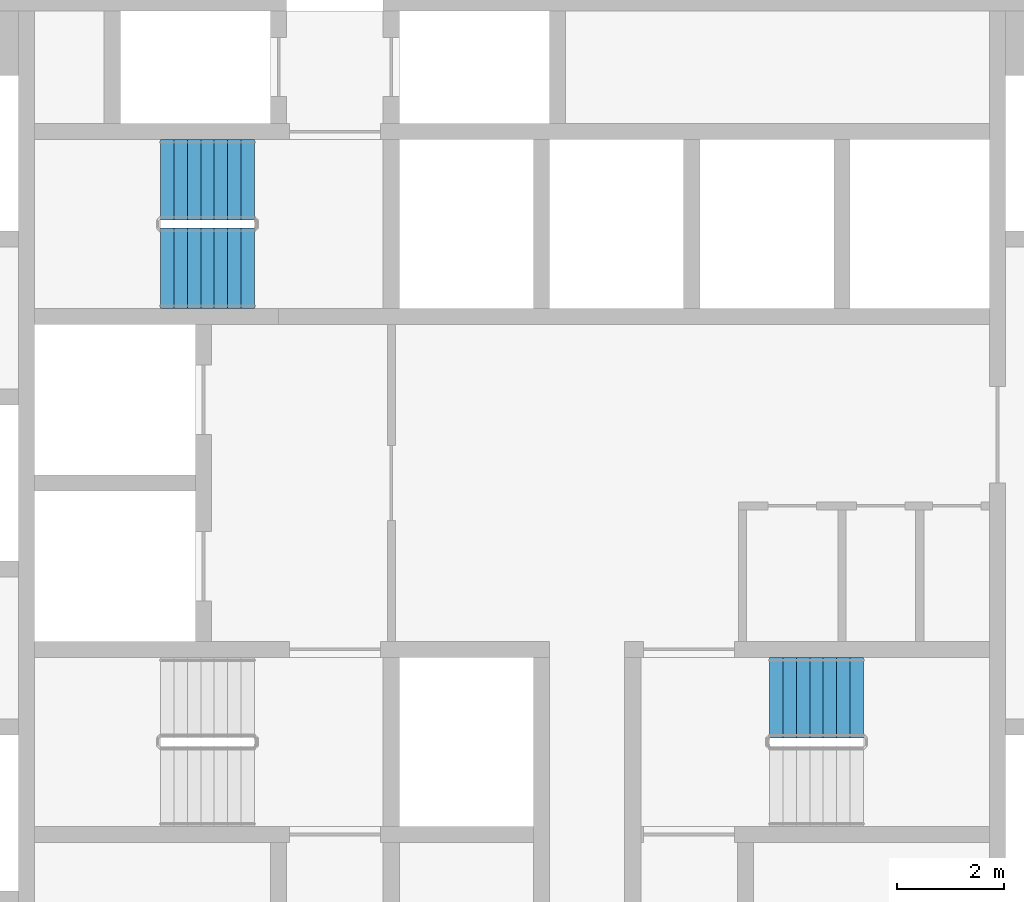
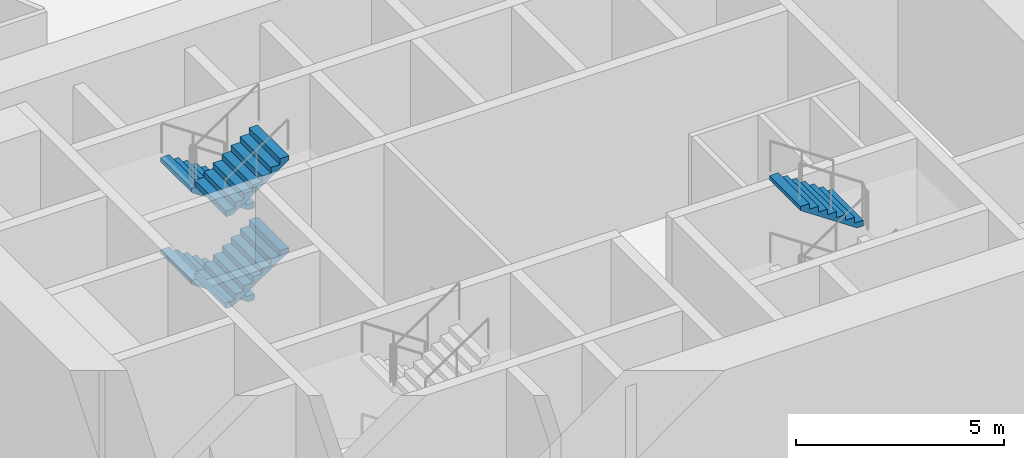
# One storey, part 26 of 27: 5 stair flights, 2 elements without a shape of their own.
"""IFC4 building model written with IfcOpenShell, lengths in metres."""

from ifc_helpers import new_model, si_unit, direction, frame, origin, place, context, subcontext, project, spatial, polyline, outline, extrude, material, type_object, element, aggregate, save


model = new_model("IFC4")

# Units and contexts
model_context = context("Model", 3, precision=1e-05, world=origin(), true_north=direction((0.0, 1.0)))
body_context = subcontext(model_context, "Body", "Model", "MODEL_VIEW")
ifc_project = project(units=[si_unit("LENGTHUNIT", "METRE"), si_unit("AREAUNIT", "SQUARE_METRE"), si_unit("VOLUMEUNIT", "CUBIC_METRE"), si_unit("PLANEANGLEUNIT", "RADIAN"), si_unit("MASSUNIT", "GRAM", prefix="KILO")], contexts=[model_context])

# Site, building, storey
site_placement = place(None, origin())
site = spatial("IfcSite", under=ifc_project, at=site_placement, CompositionType="ELEMENT")
building_placement = place(site_placement, origin())
building = spatial("IfcBuilding", under=site, at=building_placement, Name="Tracery Tower", CompositionType="ELEMENT")
storey_placement = place(building_placement, frame((0.0, 0.0, 114.60009765625)))
storey = spatial("IfcBuildingStorey", under=building, at=storey_placement, Name="L29", CompositionType="ELEMENT", Elevation=114.60009765625)

# Stair, stair flights
ifc_material_1 = material(Name="Concrete C32/40", Category="concrete")
stair_type = type_object("IfcStairType", Name="Core stair 32 risers", PredefinedType="HALF_TURN_STAIR", material=ifc_material_1)
stair_1_placement = place(storey_placement, origin())
stair_1 = element("IfcStair", 1, at=stair_1_placement, inside=storey, type_object=stair_type, Name="L29 stair ST3", PredefinedType="HALF_TURN_STAIR")
ifc_material_2 = material(Name="Concrete C32/40", Category="concrete")
stair_flight_type = type_object("IfcStairFlightType", Name="Core stair flight 8 risers", PredefinedType="STRAIGHT", material=ifc_material_2)
stair_flight_1_placement = place(storey_placement, frame((-4.800048828125, 5.64990234375, 0.0), z_axis=(0.0, 0.0, 1.0), x_axis=(-1.0, 0.0, 0.0)))
stair_flight_1 = element("IfcStairFlight", 2, at=stair_flight_1_placement, type_object=stair_flight_type, Name="ST3 flight 1", NumberOfRisers=8, NumberOfTreads=7, PredefinedType="STRAIGHT", RiserHeight=0.16875, TreadLength=0.25, context=body_context, shape_type="SweptSolid", body=[
    extrude(outline(polyline([(0.0, 0.0), (0.0, 0.002685546875), (0.0, 0.005615234375), (0.0, 0.00830078125), (0.0, 0.010986328125), (0.0, 0.013916015625), (0.0, 0.0166015625), (0.0, 0.019287109375), (0.0, 0.022216796875), (0.0, 0.02490234375), (0.0, 0.027587890625), (0.0, 0.030517578125), (0.0, 0.033203125), (0.0, 0.035888671875), (0.0, 0.038818359375), (0.0, 0.04150390625), (0.0, 0.044189453125), (0.0, 0.047119140625), (0.0, 0.0498046875), (0.0, 0.052490234375), (0.0, 0.055419921875), (0.0, 0.05810546875), (0.0, 0.060791015625), (0.0, 0.063720703125), (0.0, 0.06640625), (0.0, 0.069091796875), (0.0, 0.072021484375), (0.0, 0.07470703125), (0.0, 0.077392578125), (0.0, 0.080322265625), (0.0, 0.0830078125), (0.0, 0.085693359375), (0.0, 0.088623046875), (0.0, 0.09130859375), (0.0, 0.093994140625), (0.0, 0.096923828125), (0.0, 0.099609375), (0.0, 0.102294921875), (0.0, 0.105224609375), (0.0, 0.10791015625), (0.0, 0.110595703125), (0.0, 0.113525390625), (0.0, 0.1162109375), (0.0, 0.118896484375), (0.0, 0.121826171875), (0.0, 0.12451171875), (0.0, 0.127197265625), (0.0, 0.130126953125), (0.0, 0.1328125), (0.0, 0.135498046875), (0.0, 0.138427734375), (0.0, 0.14111328125), (0.0, 0.143798828125), (0.0, 0.146728515625), (0.0, 0.1494140625), (0.0, 0.152099609375), (0.0, 0.155029296875), (0.0, 0.15771484375), (0.0, 0.160400390625), (0.0, 0.163330078125), (0.0, 0.166015625), (0.0, 0.168701171875), (0.25, 0.168701171875), (0.25, 0.33740234375), (0.5, 0.33740234375), (0.5, 0.50634765625), (0.75, 0.50634765625), (0.75, 0.675048828125), (1.0, 0.675048828125), (1.0, 0.84375), (1.25, 0.84375), (1.25, 1.012451171875), (1.5, 1.012451171875), (1.5, 1.18115234375), (1.75, 1.18115234375), (1.75, 1.17919921875), (1.75, 1.17724609375), (1.75, 1.17529296875), (1.75, 1.17333984375), (1.75, 1.17138671875), (1.75, 1.16943359375), (1.75, 1.16748046875), (1.75, 1.16552734375), (1.75, 1.163330078125), (1.75, 1.161376953125), (1.75, 1.159423828125), (1.75, 1.157470703125), (1.75, 1.155517578125), (1.75, 1.153564453125), (1.75, 1.151611328125), (1.75, 1.149658203125), (1.75, 1.147705078125), (1.75, 1.1455078125), (1.75, 1.1435546875), (1.75, 1.1416015625), (1.75, 1.1396484375), (1.75, 1.1376953125), (1.75, 1.1357421875), (1.75, 1.1337890625), (1.75, 1.1318359375), (1.75, 1.1298828125), (1.75, 1.127685546875), (1.75, 1.125732421875), (1.75, 1.123779296875), (1.75, 1.121826171875), (1.75, 1.119873046875), (1.75, 1.117919921875), (1.75, 1.115966796875), (1.75, 1.114013671875), (1.75, 1.112060546875), (1.75, 1.10986328125), (1.75, 1.10791015625), (1.75, 1.10595703125), (1.75, 1.10400390625), (1.75, 1.10205078125), (1.75, 1.10009765625), (1.75, 1.09814453125), (1.75, 1.09619140625), (1.75, 1.09423828125), (1.75, 1.092041015625), (1.75, 1.090087890625), (1.75, 1.088134765625), (1.75, 1.086181640625), (1.75, 1.084228515625), (1.75, 1.082275390625), (1.75, 1.080322265625), (1.75, 1.078369140625), (1.75, 1.076416015625), (1.75, 1.074462890625), (1.75, 1.072265625), (1.75, 1.0703125), (1.75, 1.068359375), (1.75, 1.06640625), (1.75, 1.064453125), (1.75, 1.0625), (1.75, 1.060546875), (0.178955078125, 0.0), (0.0, 0.0)])), frame((0.0, 0.75, 0.0), z_axis=(0.0, -1.0, 0.0), x_axis=(1.0, 0.0, 0.0)), (0.0, 0.0, 1.0), 1.5),
])
stair_flight_2_placement = place(storey_placement, frame((-6.550048828125, 4.0, 1.349853515625), z_axis=(0.0, 0.0, 1.0), x_axis=(1.0, 0.0, 0.0)))
stair_flight_2 = element("IfcStairFlight", 3, at=stair_flight_2_placement, type_object=stair_flight_type, Name="ST3 flight 2", NumberOfRisers=8, NumberOfTreads=7, PredefinedType="STRAIGHT", RiserHeight=0.16875, TreadLength=0.25, context=body_context, shape_type="SweptSolid", body=[
    extrude(outline(polyline([(0.0, 0.0), (0.0, 0.002685546875), (0.0, 0.005615234375), (0.0, 0.00830078125), (0.0, 0.010986328125), (0.0, 0.013916015625), (0.0, 0.0166015625), (0.0, 0.019287109375), (0.0, 0.022216796875), (0.0, 0.02490234375), (0.0, 0.027587890625), (0.0, 0.030517578125), (0.0, 0.033203125), (0.0, 0.035888671875), (0.0, 0.038818359375), (0.0, 0.04150390625), (0.0, 0.044189453125), (0.0, 0.047119140625), (0.0, 0.0498046875), (0.0, 0.052490234375), (0.0, 0.055419921875), (0.0, 0.05810546875), (0.0, 0.060791015625), (0.0, 0.063720703125), (0.0, 0.06640625), (0.0, 0.069091796875), (0.0, 0.072021484375), (0.0, 0.07470703125), (0.0, 0.077392578125), (0.0, 0.080322265625), (0.0, 0.0830078125), (0.0, 0.085693359375), (0.0, 0.088623046875), (0.0, 0.09130859375), (0.0, 0.093994140625), (0.0, 0.096923828125), (0.0, 0.099609375), (0.0, 0.102294921875), (0.0, 0.105224609375), (0.0, 0.10791015625), (0.0, 0.110595703125), (0.0, 0.113525390625), (0.0, 0.1162109375), (0.0, 0.118896484375), (0.0, 0.121826171875), (0.0, 0.12451171875), (0.0, 0.127197265625), (0.0, 0.130126953125), (0.0, 0.1328125), (0.0, 0.135498046875), (0.0, 0.138427734375), (0.0, 0.14111328125), (0.0, 0.143798828125), (0.0, 0.146728515625), (0.0, 0.1494140625), (0.0, 0.152099609375), (0.0, 0.155029296875), (0.0, 0.15771484375), (0.0, 0.160400390625), (0.0, 0.163330078125), (0.0, 0.166015625), (0.0, 0.168701171875), (0.25, 0.168701171875), (0.25, 0.33740234375), (0.5, 0.33740234375), (0.5, 0.50634765625), (0.75, 0.50634765625), (0.75, 0.675048828125), (1.0, 0.675048828125), (1.0, 0.84375), (1.25, 0.84375), (1.25, 1.012451171875), (1.5, 1.012451171875), (1.5, 1.18115234375), (1.75, 1.18115234375), (1.75, 1.17919921875), (1.75, 1.17724609375), (1.75, 1.17529296875), (1.75, 1.17333984375), (1.75, 1.17138671875), (1.75, 1.16943359375), (1.75, 1.16748046875), (1.75, 1.16552734375), (1.75, 1.163330078125), (1.75, 1.161376953125), (1.75, 1.159423828125), (1.75, 1.157470703125), (1.75, 1.155517578125), (1.75, 1.153564453125), (1.75, 1.151611328125), (1.75, 1.149658203125), (1.75, 1.147705078125), (1.75, 1.1455078125), (1.75, 1.1435546875), (1.75, 1.1416015625), (1.75, 1.1396484375), (1.75, 1.1376953125), (1.75, 1.1357421875), (1.75, 1.1337890625), (1.75, 1.1318359375), (1.75, 1.1298828125), (1.75, 1.127685546875), (1.75, 1.125732421875), (1.75, 1.123779296875), (1.75, 1.121826171875), (1.75, 1.119873046875), (1.75, 1.117919921875), (1.75, 1.115966796875), (1.75, 1.114013671875), (1.75, 1.112060546875), (1.75, 1.10986328125), (1.75, 1.10791015625), (1.75, 1.10595703125), (1.75, 1.10400390625), (1.75, 1.10205078125), (1.75, 1.10009765625), (1.75, 1.09814453125), (1.75, 1.09619140625), (1.75, 1.09423828125), (1.75, 1.092041015625), (1.75, 1.090087890625), (1.75, 1.088134765625), (1.75, 1.086181640625), (1.75, 1.084228515625), (1.75, 1.082275390625), (1.75, 1.080322265625), (1.75, 1.078369140625), (1.75, 1.076416015625), (1.75, 1.074462890625), (1.75, 1.072265625), (1.75, 1.0703125), (1.75, 1.068359375), (1.75, 1.06640625), (1.75, 1.064453125), (1.75, 1.0625), (1.75, 1.060546875), (0.178955078125, 0.0), (0.0, 0.0)])), frame((0.0, 0.75, 0.0), z_axis=(0.0, -1.0, 0.0), x_axis=(1.0, 0.0, 0.0)), (0.0, 0.0, 1.0), 1.5),
])
stair_flight_3_placement = place(storey_placement, frame((-4.800048828125, 5.64990234375, 2.699951171875), z_axis=(0.0, 0.0, 1.0), x_axis=(-1.0, 0.0, 0.0)))
stair_flight_3 = element("IfcStairFlight", 4, at=stair_flight_3_placement, type_object=stair_flight_type, Name="ST3 flight 3", NumberOfRisers=8, NumberOfTreads=7, PredefinedType="STRAIGHT", RiserHeight=0.16875, TreadLength=0.25, context=body_context, shape_type="SweptSolid", body=[
    extrude(outline(polyline([(0.0, 0.0), (0.0, 0.002685546875), (0.0, 0.005615234375), (0.0, 0.00830078125), (0.0, 0.010986328125), (0.0, 0.013916015625), (0.0, 0.0166015625), (0.0, 0.019287109375), (0.0, 0.022216796875), (0.0, 0.02490234375), (0.0, 0.027587890625), (0.0, 0.030517578125), (0.0, 0.033203125), (0.0, 0.035888671875), (0.0, 0.038818359375), (0.0, 0.04150390625), (0.0, 0.044189453125), (0.0, 0.047119140625), (0.0, 0.0498046875), (0.0, 0.052490234375), (0.0, 0.055419921875), (0.0, 0.05810546875), (0.0, 0.060791015625), (0.0, 0.063720703125), (0.0, 0.06640625), (0.0, 0.069091796875), (0.0, 0.072021484375), (0.0, 0.07470703125), (0.0, 0.077392578125), (0.0, 0.080322265625), (0.0, 0.0830078125), (0.0, 0.085693359375), (0.0, 0.088623046875), (0.0, 0.09130859375), (0.0, 0.093994140625), (0.0, 0.096923828125), (0.0, 0.099609375), (0.0, 0.102294921875), (0.0, 0.105224609375), (0.0, 0.10791015625), (0.0, 0.110595703125), (0.0, 0.113525390625), (0.0, 0.1162109375), (0.0, 0.118896484375), (0.0, 0.121826171875), (0.0, 0.12451171875), (0.0, 0.127197265625), (0.0, 0.130126953125), (0.0, 0.1328125), (0.0, 0.135498046875), (0.0, 0.138427734375), (0.0, 0.14111328125), (0.0, 0.143798828125), (0.0, 0.146728515625), (0.0, 0.1494140625), (0.0, 0.152099609375), (0.0, 0.155029296875), (0.0, 0.15771484375), (0.0, 0.160400390625), (0.0, 0.163330078125), (0.0, 0.166015625), (0.0, 0.168701171875), (0.25, 0.168701171875), (0.25, 0.33740234375), (0.5, 0.33740234375), (0.5, 0.50634765625), (0.75, 0.50634765625), (0.75, 0.675048828125), (1.0, 0.675048828125), (1.0, 0.84375), (1.25, 0.84375), (1.25, 1.012451171875), (1.5, 1.012451171875), (1.5, 1.18115234375), (1.75, 1.18115234375), (1.75, 1.17919921875), (1.75, 1.17724609375), (1.75, 1.17529296875), (1.75, 1.17333984375), (1.75, 1.17138671875), (1.75, 1.16943359375), (1.75, 1.16748046875), (1.75, 1.16552734375), (1.75, 1.163330078125), (1.75, 1.161376953125), (1.75, 1.159423828125), (1.75, 1.157470703125), (1.75, 1.155517578125), (1.75, 1.153564453125), (1.75, 1.151611328125), (1.75, 1.149658203125), (1.75, 1.147705078125), (1.75, 1.1455078125), (1.75, 1.1435546875), (1.75, 1.1416015625), (1.75, 1.1396484375), (1.75, 1.1376953125), (1.75, 1.1357421875), (1.75, 1.1337890625), (1.75, 1.1318359375), (1.75, 1.1298828125), (1.75, 1.127685546875), (1.75, 1.125732421875), (1.75, 1.123779296875), (1.75, 1.121826171875), (1.75, 1.119873046875), (1.75, 1.117919921875), (1.75, 1.115966796875), (1.75, 1.114013671875), (1.75, 1.112060546875), (1.75, 1.10986328125), (1.75, 1.10791015625), (1.75, 1.10595703125), (1.75, 1.10400390625), (1.75, 1.10205078125), (1.75, 1.10009765625), (1.75, 1.09814453125), (1.75, 1.09619140625), (1.75, 1.09423828125), (1.75, 1.092041015625), (1.75, 1.090087890625), (1.75, 1.088134765625), (1.75, 1.086181640625), (1.75, 1.084228515625), (1.75, 1.082275390625), (1.75, 1.080322265625), (1.75, 1.078369140625), (1.75, 1.076416015625), (1.75, 1.074462890625), (1.75, 1.072265625), (1.75, 1.0703125), (1.75, 1.068359375), (1.75, 1.06640625), (1.75, 1.064453125), (1.75, 1.0625), (1.75, 1.060546875), (0.178955078125, 0.0), (0.0, 0.0)])), frame((0.0, 0.75, 0.0), z_axis=(0.0, -1.0, 0.0), x_axis=(1.0, 0.0, 0.0)), (0.0, 0.0, 1.0), 1.5),
])
stair_flight_4_placement = place(storey_placement, frame((-6.550048828125, 4.0, 4.0498046875), z_axis=(0.0, 0.0, 1.0), x_axis=(1.0, 0.0, 0.0)))
stair_flight_4 = element("IfcStairFlight", 5, at=stair_flight_4_placement, type_object=stair_flight_type, Name="ST3 flight 4", NumberOfRisers=8, NumberOfTreads=7, PredefinedType="STRAIGHT", RiserHeight=0.16875, TreadLength=0.25, context=body_context, shape_type="SweptSolid", body=[
    extrude(outline(polyline([(0.0, 0.0), (0.0, 0.002685546875), (0.0, 0.005615234375), (0.0, 0.00830078125), (0.0, 0.010986328125), (0.0, 0.013916015625), (0.0, 0.0166015625), (0.0, 0.019287109375), (0.0, 0.022216796875), (0.0, 0.02490234375), (0.0, 0.027587890625), (0.0, 0.030517578125), (0.0, 0.033203125), (0.0, 0.035888671875), (0.0, 0.038818359375), (0.0, 0.04150390625), (0.0, 0.044189453125), (0.0, 0.047119140625), (0.0, 0.0498046875), (0.0, 0.052490234375), (0.0, 0.055419921875), (0.0, 0.05810546875), (0.0, 0.060791015625), (0.0, 0.063720703125), (0.0, 0.06640625), (0.0, 0.069091796875), (0.0, 0.072021484375), (0.0, 0.07470703125), (0.0, 0.077392578125), (0.0, 0.080322265625), (0.0, 0.0830078125), (0.0, 0.085693359375), (0.0, 0.088623046875), (0.0, 0.09130859375), (0.0, 0.093994140625), (0.0, 0.096923828125), (0.0, 0.099609375), (0.0, 0.102294921875), (0.0, 0.105224609375), (0.0, 0.10791015625), (0.0, 0.110595703125), (0.0, 0.113525390625), (0.0, 0.1162109375), (0.0, 0.118896484375), (0.0, 0.121826171875), (0.0, 0.12451171875), (0.0, 0.127197265625), (0.0, 0.130126953125), (0.0, 0.1328125), (0.0, 0.135498046875), (0.0, 0.138427734375), (0.0, 0.14111328125), (0.0, 0.143798828125), (0.0, 0.146728515625), (0.0, 0.1494140625), (0.0, 0.152099609375), (0.0, 0.155029296875), (0.0, 0.15771484375), (0.0, 0.160400390625), (0.0, 0.163330078125), (0.0, 0.166015625), (0.0, 0.168701171875), (0.25, 0.168701171875), (0.25, 0.33740234375), (0.5, 0.33740234375), (0.5, 0.50634765625), (0.75, 0.50634765625), (0.75, 0.675048828125), (1.0, 0.675048828125), (1.0, 0.84375), (1.25, 0.84375), (1.25, 1.012451171875), (1.5, 1.012451171875), (1.5, 1.18115234375), (1.75, 1.18115234375), (1.75, 1.17919921875), (1.75, 1.17724609375), (1.75, 1.17529296875), (1.75, 1.17333984375), (1.75, 1.17138671875), (1.75, 1.16943359375), (1.75, 1.16748046875), (1.75, 1.16552734375), (1.75, 1.163330078125), (1.75, 1.161376953125), (1.75, 1.159423828125), (1.75, 1.157470703125), (1.75, 1.155517578125), (1.75, 1.153564453125), (1.75, 1.151611328125), (1.75, 1.149658203125), (1.75, 1.147705078125), (1.75, 1.1455078125), (1.75, 1.1435546875), (1.75, 1.1416015625), (1.75, 1.1396484375), (1.75, 1.1376953125), (1.75, 1.1357421875), (1.75, 1.1337890625), (1.75, 1.1318359375), (1.75, 1.1298828125), (1.75, 1.127685546875), (1.75, 1.125732421875), (1.75, 1.123779296875), (1.75, 1.121826171875), (1.75, 1.119873046875), (1.75, 1.117919921875), (1.75, 1.115966796875), (1.75, 1.114013671875), (1.75, 1.112060546875), (1.75, 1.10986328125), (1.75, 1.10791015625), (1.75, 1.10595703125), (1.75, 1.10400390625), (1.75, 1.10205078125), (1.75, 1.10009765625), (1.75, 1.09814453125), (1.75, 1.09619140625), (1.75, 1.09423828125), (1.75, 1.092041015625), (1.75, 1.090087890625), (1.75, 1.088134765625), (1.75, 1.086181640625), (1.75, 1.084228515625), (1.75, 1.082275390625), (1.75, 1.080322265625), (1.75, 1.078369140625), (1.75, 1.076416015625), (1.75, 1.074462890625), (1.75, 1.072265625), (1.75, 1.0703125), (1.75, 1.068359375), (1.75, 1.06640625), (1.75, 1.064453125), (1.75, 1.0625), (1.75, 1.060546875), (0.178955078125, 0.0), (0.0, 0.0)])), frame((0.0, 0.75, 0.0), z_axis=(0.0, -1.0, 0.0), x_axis=(1.0, 0.0, 0.0)), (0.0, 0.0, 1.0), 1.5),
])
aggregate(stair_1, [stair_flight_1, stair_flight_2, stair_flight_3, stair_flight_4])

# Stair, stair flight
stair_2_placement = place(storey_placement, origin())
stair_2 = element("IfcStair", 6, at=stair_2_placement, inside=storey, type_object=stair_type, Name="L29 stair ST2", PredefinedType="HALF_TURN_STAIR")
stair_flight_5_placement = place(storey_placement, frame((6.550048828125, -4.0, 4.0498046875), z_axis=(0.0, 0.0, 1.0), x_axis=(-1.0, 0.0, 0.0)))
stair_flight_5 = element("IfcStairFlight", 7, at=stair_flight_5_placement, type_object=stair_flight_type, Name="ST2 flight 4", NumberOfRisers=8, NumberOfTreads=7, PredefinedType="STRAIGHT", RiserHeight=0.16875, TreadLength=0.25, context=body_context, shape_type="SweptSolid", body=[
    extrude(outline(polyline([(0.0, 0.0), (0.0, 0.002685546875), (0.0, 0.005615234375), (0.0, 0.00830078125), (0.0, 0.010986328125), (0.0, 0.013916015625), (0.0, 0.0166015625), (0.0, 0.019287109375), (0.0, 0.022216796875), (0.0, 0.02490234375), (0.0, 0.027587890625), (0.0, 0.030517578125), (0.0, 0.033203125), (0.0, 0.035888671875), (0.0, 0.038818359375), (0.0, 0.04150390625), (0.0, 0.044189453125), (0.0, 0.047119140625), (0.0, 0.0498046875), (0.0, 0.052490234375), (0.0, 0.055419921875), (0.0, 0.05810546875), (0.0, 0.060791015625), (0.0, 0.063720703125), (0.0, 0.06640625), (0.0, 0.069091796875), (0.0, 0.072021484375), (0.0, 0.07470703125), (0.0, 0.077392578125), (0.0, 0.080322265625), (0.0, 0.0830078125), (0.0, 0.085693359375), (0.0, 0.088623046875), (0.0, 0.09130859375), (0.0, 0.093994140625), (0.0, 0.096923828125), (0.0, 0.099609375), (0.0, 0.102294921875), (0.0, 0.105224609375), (0.0, 0.10791015625), (0.0, 0.110595703125), (0.0, 0.113525390625), (0.0, 0.1162109375), (0.0, 0.118896484375), (0.0, 0.121826171875), (0.0, 0.12451171875), (0.0, 0.127197265625), (0.0, 0.130126953125), (0.0, 0.1328125), (0.0, 0.135498046875), (0.0, 0.138427734375), (0.0, 0.14111328125), (0.0, 0.143798828125), (0.0, 0.146728515625), (0.0, 0.1494140625), (0.0, 0.152099609375), (0.0, 0.155029296875), (0.0, 0.15771484375), (0.0, 0.160400390625), (0.0, 0.163330078125), (0.0, 0.166015625), (0.0, 0.168701171875), (0.25, 0.168701171875), (0.25, 0.33740234375), (0.5, 0.33740234375), (0.5, 0.50634765625), (0.75, 0.50634765625), (0.75, 0.675048828125), (1.0, 0.675048828125), (1.0, 0.84375), (1.25, 0.84375), (1.25, 1.012451171875), (1.5, 1.012451171875), (1.5, 1.18115234375), (1.75, 1.18115234375), (1.75, 1.17919921875), (1.75, 1.17724609375), (1.75, 1.17529296875), (1.75, 1.17333984375), (1.75, 1.17138671875), (1.75, 1.16943359375), (1.75, 1.16748046875), (1.75, 1.16552734375), (1.75, 1.163330078125), (1.75, 1.161376953125), (1.75, 1.159423828125), (1.75, 1.157470703125), (1.75, 1.155517578125), (1.75, 1.153564453125), (1.75, 1.151611328125), (1.75, 1.149658203125), (1.75, 1.147705078125), (1.75, 1.1455078125), (1.75, 1.1435546875), (1.75, 1.1416015625), (1.75, 1.1396484375), (1.75, 1.1376953125), (1.75, 1.1357421875), (1.75, 1.1337890625), (1.75, 1.1318359375), (1.75, 1.1298828125), (1.75, 1.127685546875), (1.75, 1.125732421875), (1.75, 1.123779296875), (1.75, 1.121826171875), (1.75, 1.119873046875), (1.75, 1.117919921875), (1.75, 1.115966796875), (1.75, 1.114013671875), (1.75, 1.112060546875), (1.75, 1.10986328125), (1.75, 1.10791015625), (1.75, 1.10595703125), (1.75, 1.10400390625), (1.75, 1.10205078125), (1.75, 1.10009765625), (1.75, 1.09814453125), (1.75, 1.09619140625), (1.75, 1.09423828125), (1.75, 1.092041015625), (1.75, 1.090087890625), (1.75, 1.088134765625), (1.75, 1.086181640625), (1.75, 1.084228515625), (1.75, 1.082275390625), (1.75, 1.080322265625), (1.75, 1.078369140625), (1.75, 1.076416015625), (1.75, 1.074462890625), (1.75, 1.072265625), (1.75, 1.0703125), (1.75, 1.068359375), (1.75, 1.06640625), (1.75, 1.064453125), (1.75, 1.0625), (1.75, 1.060546875), (0.178955078125, 0.0), (0.0, 0.0)])), frame((0.0, 0.75, 0.0), z_axis=(0.0, -1.0, 0.0), x_axis=(1.0, 0.0, 0.0)), (0.0, 0.0, 1.0), 1.5),
])
aggregate(stair_2, [stair_flight_5])

save(model, "model.ifc")
